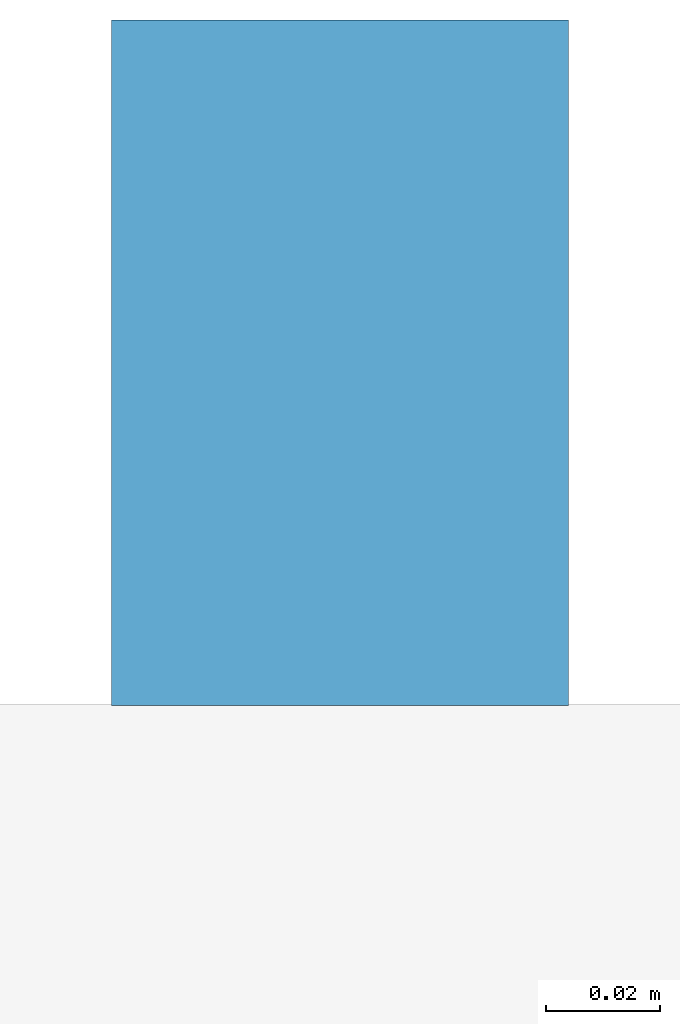
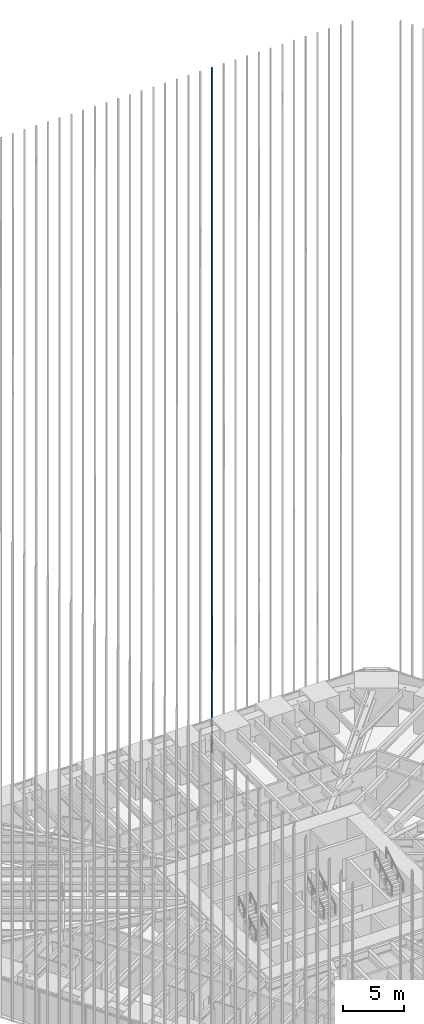
# One storey, part 219 of 256: 1 member, 1 element without a shape of its own.
"""IFC4 building model written with IfcOpenShell, lengths in metres."""

from ifc_helpers import new_model, si_unit, direction, frame, origin, origin_2d, place, context, subcontext, project, spatial, rectangle, extrude, material, material_profile, profile_set, type_object, element, aggregate, save


model = new_model("IFC4")

# Units and contexts
model_context = context("Model", 3, precision=1e-05, world=origin(), true_north=direction((0.0, 1.0)))
body_context = subcontext(model_context, "Body", "Model", "MODEL_VIEW")
ifc_project = project(units=[si_unit("LENGTHUNIT", "METRE"), si_unit("AREAUNIT", "SQUARE_METRE"), si_unit("VOLUMEUNIT", "CUBIC_METRE"), si_unit("PLANEANGLEUNIT", "RADIAN"), si_unit("MASSUNIT", "GRAM", prefix="KILO")], contexts=[model_context])

# Site, building, storey
site_placement = place(None, origin())
site = spatial("IfcSite", under=ifc_project, at=site_placement, CompositionType="ELEMENT")
building_placement = place(site_placement, origin())
building = spatial("IfcBuilding", under=site, at=building_placement, Name="Sandreach Pilgrim Tower", CompositionType="ELEMENT")
storey_placement = place(building_placement, frame((0.0, 0.0, 23.0)))
storey = spatial("IfcBuildingStorey", under=building, at=storey_placement, Name="L04", CompositionType="ELEMENT", Elevation=23.0)

# Curtain wall, member
ifc_material_1 = material(Name="Aluminium framed curtain wall", Category="aluminium")
curtain_wall_type = type_object("IfcCurtainWallType", Name="Hostel tower curtain wall", PredefinedType="NOTDEFINED", material=ifc_material_1)
curtain_wall_placement = place(storey_placement, origin())
curtain_wall = element("IfcCurtainWall", 1, at=curtain_wall_placement, inside=storey, type_object=curtain_wall_type, Name="CW-1 L04 N", PredefinedType="NOTDEFINED")
ifc_material_2 = material(Name="Extruded terracotta on aluminium core", Category="masonry")
ifc_material_profile = material_profile(ifc_material_2, rectangle(XDim=0.080078125, YDim=0.1201171875, at=origin_2d()), Name="TBN 80X120")
ifc_profile_set = profile_set([ifc_material_profile], Name="Extruded terracotta on aluminium core")
member_type = type_object("IfcMemberType", Name="Terracotta baguette north", PredefinedType="USERDEFINED", material=ifc_profile_set)
member_placement = place(storey_placement, frame((5.522216796875, 24.30859375, 0.0), z_axis=(0.0, 0.0, 1.0), x_axis=(1.0, 0.0, 0.0)))
member = element("IfcMember", 2, at=member_placement, type_object=member_type, Name="Baguette Z1 N23", ObjectType="BAGUETTE", PredefinedType="USERDEFINED", context=body_context, shape_type="SweptSolid", body=[
    extrude(rectangle(XDim=0.080078125, YDim=0.1201171875, at=origin_2d()), origin(), (0.0, 0.0, 1.0), 68.239990234375),
])
aggregate(curtain_wall, [member])

save(model, "model.ifc")
